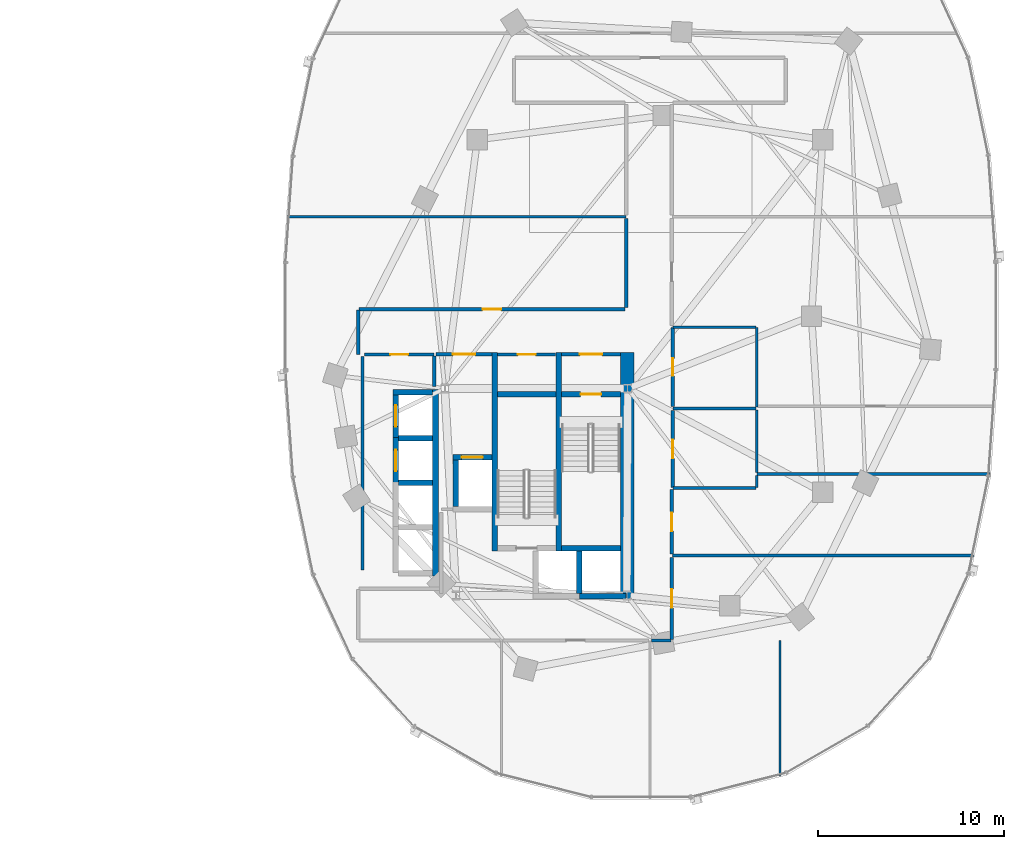
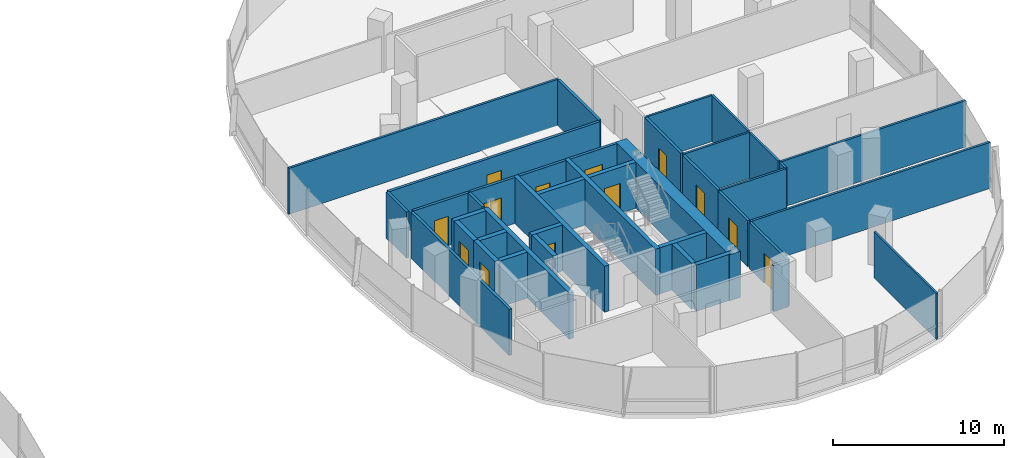
# One storey, part 13 of 21: 40 walls, 13 doors, 13 openings.
"""IFC4 building model written with IfcOpenShell, lengths in metres."""

from ifc_helpers import new_model, si_unit, direction, frame, frame_2d, origin, place, context, subcontext, project, spatial, rectangle, extrude, material, layer, layer_set, type_object, element, fill, save


model = new_model("IFC4")

# Units and contexts
model_context = context("Model", 3, precision=1e-05, world=origin(), true_north=direction((0.0, 1.0)))
body_context = subcontext(model_context, "Body", "Model", "MODEL_VIEW")
ifc_project = project(units=[si_unit("LENGTHUNIT", "METRE"), si_unit("AREAUNIT", "SQUARE_METRE"), si_unit("VOLUMEUNIT", "CUBIC_METRE"), si_unit("PLANEANGLEUNIT", "RADIAN"), si_unit("MASSUNIT", "GRAM", prefix="KILO"), si_unit("THERMODYNAMICTEMPERATUREUNIT", "KELVIN"), si_unit("POWERUNIT", "WATT")], contexts=[model_context])

# Site, building, storey
site_placement = place(None, origin())
site = spatial("IfcSite", under=ifc_project, at=site_placement, CompositionType="ELEMENT")
building_placement = place(site_placement, origin())
building = spatial("IfcBuilding", under=site, at=building_placement, Name="Cundina Bronze Exchange", CompositionType="ELEMENT")
storey_placement = place(building_placement, frame((0.0, 0.0, 114.199951171875)))
storey = spatial("IfcBuildingStorey", under=building, at=storey_placement, Name="L29", CompositionType="ELEMENT", Elevation=114.199951171875)

# Wall
ifc_material_1 = material(Name="Gypsum Fireboard Partition EI120")
ifc_layer_1 = layer(ifc_material_1, 0.179931640625, Name="Gypsum Fireboard Partition EI120")
ifc_layer_set_1 = layer_set([ifc_layer_1], Name="Gypsum Fireboard Partition EI120")
wall_type_1 = type_object("IfcWallType", Name="WL-COR-180", PredefinedType="PARTITIONING", material=ifc_layer_set_1)
wall_1_placement = place(storey_placement, frame((20.889892578125, -3.800048828125, 0.0), z_axis=(0.0, 0.0, 1.0), x_axis=(0.0, 1.0, 0.0)))
element("IfcWall", 1, at=wall_1_placement, inside=storey, type_object=wall_type_1, Name="L29 E Firefighting Lobby Side Wall", PredefinedType="PARTITIONING", context=body_context, shape_type="SweptSolid", body=[
    extrude(rectangle(XDim=1.650146484375, YDim=0.179931640625, at=frame_2d((0.8251953125, 0.0))), origin(), (0.0, 0.0, 1.0), 3.300048828125),
])

# Wall, opening, door
wall_2_placement = place(storey_placement, frame((20.97998046875, -2.06005859375, 0.0), z_axis=(0.0, 0.0, 1.0), x_axis=(1.0, 0.0, 0.0)))
wall_2 = element("IfcWall", 2, at=wall_2_placement, inside=storey, type_object=wall_type_1, Name="L29 E Firefighting Lobby Exit Wall", PredefinedType="PARTITIONING", context=body_context, shape_type="SweptSolid", body=[
    extrude(rectangle(XDim=3.0, YDim=0.179931640625, at=frame_2d((1.5, 0.0))), origin(), (0.0, 0.0, 1.0), 3.300048828125),
])
opening_1_placement = place(wall_2_placement, frame((0.89990234375, 0.0, 0.0)))
opening_1 = element("IfcOpeningElement", 3, at=opening_1_placement, cuts=wall_2, Name="Opening DF-01", PredefinedType="OPENING", context=body_context, shape_type="SweptSolid", body=[
    extrude(rectangle(XDim=1.199951171875, YDim=2.14990234375, at=frame_2d((0.60009765625, 1.074951171875))), frame((0.0, 0.099853515625, 0.0), z_axis=(0.0, -1.0, 0.0), x_axis=(1.0, 0.0, 0.0)), (0.0, 0.0, 1.0), 0.199951171875),
])
ifc_material_2 = material(Name="Steel ASTM A36 Painted", Category="steel")
door_type_1 = type_object("IfcDoorType", Name="DR-FFL-1200", OperationType="NOTDEFINED", PredefinedType="DOOR", material=ifc_material_2)
door_1_placement = place(opening_1_placement, origin())
door_1 = element("IfcDoor", 4, at=door_1_placement, inside=storey, type_object=door_type_1, Name="L29 E Firefighting Lobby Door", OperationType="SINGLE_SWING_LEFT", OverallHeight=2.14990234375, OverallWidth=1.199951171875, PredefinedType="DOOR", context=body_context, shape_type="SweptSolid", body=[
    extrude(rectangle(XDim=1.199951171875, YDim=2.14990234375, at=frame_2d((0.60009765625, 1.074951171875))), frame((0.0, 0.02490234375, 0.0), z_axis=(0.0, -1.0, 0.0), x_axis=(1.0, 0.0, 0.0)), (0.0, 0.0, 1.0), 0.050048828125),
])
fill(opening_1, door_1)

wall_3_placement = place(storey_placement, frame((27.739990234375, -2.06005859375, 0.0), z_axis=(0.0, 0.0, 1.0), x_axis=(1.0, 0.0, 0.0)))
wall_3 = element("IfcWall", 5, at=wall_3_placement, inside=storey, type_object=wall_type_1, Name="L29 E Stair Vestibule Exit Wall", PredefinedType="PARTITIONING", context=body_context, shape_type="SweptSolid", body=[
    extrude(rectangle(XDim=3.159912109375, YDim=0.179931640625, at=frame_2d((1.580078125, 0.0))), origin(), (0.0, 0.0, 1.0), 3.300048828125),
])
opening_2_placement = place(wall_3_placement, frame((0.97998046875, 0.0, 0.0)))
opening_2 = element("IfcOpeningElement", 6, at=opening_2_placement, cuts=wall_3, Name="Opening DF-01", PredefinedType="OPENING", context=body_context, shape_type="SweptSolid", body=[
    extrude(rectangle(XDim=1.199951171875, YDim=2.14990234375, at=frame_2d((0.60009765625, 1.074951171875))), frame((0.0, 0.099853515625, 0.0), z_axis=(0.0, -1.0, 0.0), x_axis=(1.0, 0.0, 0.0)), (0.0, 0.0, 1.0), 0.199951171875),
])
door_2_placement = place(opening_2_placement, origin())
door_2 = element("IfcDoor", 7, at=door_2_placement, inside=storey, type_object=door_type_1, Name="L29 E Stair Vestibule Door", OperationType="SINGLE_SWING_RIGHT", OverallHeight=2.14990234375, OverallWidth=1.199951171875, PredefinedType="DOOR", context=body_context, shape_type="SweptSolid", body=[
    extrude(rectangle(XDim=1.199951171875, YDim=2.14990234375, at=frame_2d((0.60009765625, 1.074951171875))), frame((0.0, 0.02490234375, 0.0), z_axis=(0.0, -1.0, 0.0), x_axis=(1.0, 0.0, 0.0)), (0.0, 0.0, 1.0), 0.050048828125),
])
fill(opening_2, door_2)

# Wall
wall_4_placement = place(storey_placement, frame((17.02001953125, -13.679931640625, 0.0), z_axis=(0.0, 0.0, 1.0), x_axis=(0.0, 1.0, 0.0)))
element("IfcWall", 8, at=wall_4_placement, inside=storey, type_object=wall_type_1, Name="L29 Interior Partition 040", PredefinedType="PARTITIONING", context=body_context, shape_type="SweptSolid", body=[
    extrude(rectangle(XDim=11.510009765625, YDim=0.179931640625, at=frame_2d((5.7548828125, 0.0))), origin(), (0.0, 0.0, 1.0), 3.300048828125),
])

# Wall, opening, door
wall_5_placement = place(storey_placement, frame((17.1201171875, -2.070068359375, 0.0), z_axis=(0.0, 0.0, 1.0), x_axis=(1.0, 0.0, 0.0)))
wall_5 = element("IfcWall", 9, at=wall_5_placement, inside=storey, type_object=wall_type_1, Name="L29 Interior Partition 041", PredefinedType="PARTITIONING", context=body_context, shape_type="SweptSolid", body=[
    extrude(rectangle(XDim=3.75, YDim=0.179931640625, at=frame_2d((1.875, 0.0))), origin(), (0.0, 0.0, 1.0), 3.300048828125),
])
opening_3_placement = place(wall_5_placement, frame((1.39990234375, 0.0, 0.0)))
opening_3 = element("IfcOpeningElement", 10, at=opening_3_placement, cuts=wall_5, Name="Opening DW-01", PredefinedType="OPENING", context=body_context, shape_type="SweptSolid", body=[
    extrude(rectangle(XDim=0.949951171875, YDim=2.10009765625, at=frame_2d((0.47509765625, 1.050048828125))), frame((0.0, 0.099853515625, 0.0), z_axis=(0.0, -1.0, 0.0), x_axis=(1.0, 0.0, 0.0)), (0.0, 0.0, 1.0), 0.199951171875),
])
ifc_material_3 = material(Name="Solid Andean Oak Timber Grade A", Category="wood")
door_type_2 = type_object("IfcDoorType", Name="DR-WC-950", OperationType="NOTDEFINED", PredefinedType="DOOR", material=ifc_material_3)
door_3_placement = place(opening_3_placement, origin())
door_3 = element("IfcDoor", 11, at=door_3_placement, inside=storey, type_object=door_type_2, Name="L29 Interior Door 041", OperationType="SINGLE_SWING_RIGHT", OverallHeight=2.10009765625, OverallWidth=0.949951171875, PredefinedType="DOOR", context=body_context, shape_type="SweptSolid", body=[
    extrude(rectangle(XDim=0.949951171875, YDim=2.10009765625, at=frame_2d((0.47509765625, 1.050048828125))), frame((0.0, 0.02490234375, 0.0), z_axis=(0.0, -1.0, 0.0), x_axis=(1.0, 0.0, 0.0)), (0.0, 0.0, 1.0), 0.050048828125),
])
fill(opening_3, door_3)

wall_6_placement = place(storey_placement, frame((24.300048828125, -2.070068359375, 0.0), z_axis=(0.0, 0.0, 1.0), x_axis=(1.0, 0.0, 0.0)))
wall_6 = element("IfcWall", 12, at=wall_6_placement, inside=storey, type_object=wall_type_1, Name="L29 Interior Partition 044", PredefinedType="PARTITIONING", context=body_context, shape_type="SweptSolid", body=[
    extrude(rectangle(XDim=3.119873046875, YDim=0.179931640625, at=frame_2d((1.56005859375, 0.0))), origin(), (0.0, 0.0, 1.0), 3.300048828125),
])
opening_4_placement = place(wall_6_placement, frame((1.0849609375, 0.0, 0.0)))
opening_4 = element("IfcOpeningElement", 13, at=opening_4_placement, cuts=wall_6, Name="Opening DW-01", PredefinedType="OPENING", context=body_context, shape_type="SweptSolid", body=[
    extrude(rectangle(XDim=0.949951171875, YDim=2.10009765625, at=frame_2d((0.47509765625, 1.050048828125))), frame((0.0, 0.099853515625, 0.0), z_axis=(0.0, -1.0, 0.0), x_axis=(1.0, 0.0, 0.0)), (0.0, 0.0, 1.0), 0.199951171875),
])
door_4_placement = place(opening_4_placement, origin())
door_4 = element("IfcDoor", 14, at=door_4_placement, inside=storey, type_object=door_type_2, Name="L29 Interior Door 044", OperationType="SINGLE_SWING_LEFT", OverallHeight=2.10009765625, OverallWidth=0.949951171875, PredefinedType="DOOR", context=body_context, shape_type="SweptSolid", body=[
    extrude(rectangle(XDim=0.949951171875, YDim=2.10009765625, at=frame_2d((0.47509765625, 1.050048828125))), frame((0.0, 0.02490234375, 0.0), z_axis=(0.0, -1.0, 0.0), x_axis=(1.0, 0.0, 0.0)), (0.0, 0.0, 1.0), 0.050048828125),
])
fill(opening_4, door_4)

wall_7_placement = place(storey_placement, frame((33.719970703125, -4.8798828125, 0.0), z_axis=(0.0, 0.0, 1.0), x_axis=(0.0, 1.0, 0.0)))
wall_7 = element("IfcWall", 15, at=wall_7_placement, inside=storey, type_object=wall_type_1, Name="L29 Interior Partition 051", PredefinedType="PARTITIONING", context=body_context, shape_type="SweptSolid", body=[
    extrude(rectangle(XDim=4.259765625, YDim=0.179931640625, at=frame_2d((2.1298828125, 0.0))), origin(), (0.0, 0.0, 1.0), 3.300048828125),
])
opening_5_placement = place(wall_7_placement, frame((1.655029296875, 0.0, 0.0)))
opening_5 = element("IfcOpeningElement", 16, at=opening_5_placement, cuts=wall_7, Name="Opening DW-01", PredefinedType="OPENING", context=body_context, shape_type="SweptSolid", body=[
    extrude(rectangle(XDim=0.949951171875, YDim=2.10009765625, at=frame_2d((0.47509765625, 1.050048828125))), frame((0.0, 0.099853515625, 0.0), z_axis=(0.0, -1.0, 0.0), x_axis=(1.0, 0.0, 0.0)), (0.0, 0.0, 1.0), 0.199951171875),
])
door_5_placement = place(opening_5_placement, origin())
door_5 = element("IfcDoor", 17, at=door_5_placement, inside=storey, type_object=door_type_2, Name="L29 Interior Door 051", OperationType="SINGLE_SWING_RIGHT", OverallHeight=2.10009765625, OverallWidth=0.949951171875, PredefinedType="DOOR", context=body_context, shape_type="SweptSolid", body=[
    extrude(rectangle(XDim=0.949951171875, YDim=2.10009765625, at=frame_2d((0.47509765625, 1.050048828125))), frame((0.0, 0.02490234375, 0.0), z_axis=(0.0, -1.0, 0.0), x_axis=(1.0, 0.0, 0.0)), (0.0, 0.0, 1.0), 0.050048828125),
])
fill(opening_5, door_5)

wall_8_placement = place(storey_placement, frame((33.719970703125, -9.239990234375, 0.0), z_axis=(0.0, 0.0, 1.0), x_axis=(0.0, 1.0, 0.0)))
wall_8 = element("IfcWall", 18, at=wall_8_placement, inside=storey, type_object=wall_type_1, Name="L29 Interior Partition 052", PredefinedType="PARTITIONING", context=body_context, shape_type="SweptSolid", body=[
    extrude(rectangle(XDim=4.159912109375, YDim=0.179931640625, at=frame_2d((2.080078125, 0.0))), origin(), (0.0, 0.0, 1.0), 3.300048828125),
])
opening_6_placement = place(wall_8_placement, frame((1.580078125, 0.0, 0.0)))
opening_6 = element("IfcOpeningElement", 19, at=opening_6_placement, cuts=wall_8, Name="Opening DO-01", PredefinedType="OPENING", context=body_context, shape_type="SweptSolid", body=[
    extrude(rectangle(XDim=1.0, YDim=2.14990234375, at=frame_2d((0.5, 1.074951171875))), frame((0.0, 0.099853515625, 0.0), z_axis=(0.0, -1.0, 0.0), x_axis=(1.0, 0.0, 0.0)), (0.0, 0.0, 1.0), 0.199951171875),
])
door_type_3 = type_object("IfcDoorType", Name="DR-OFF-1000", OperationType="NOTDEFINED", PredefinedType="DOOR", material=ifc_material_3)
door_6_placement = place(opening_6_placement, origin())
door_6 = element("IfcDoor", 20, at=door_6_placement, inside=storey, type_object=door_type_3, Name="L29 Interior Door 052", OperationType="SINGLE_SWING_RIGHT", OverallHeight=2.14990234375, OverallWidth=1.0, PredefinedType="DOOR", context=body_context, shape_type="SweptSolid", body=[
    extrude(rectangle(XDim=1.0, YDim=2.14990234375, at=frame_2d((0.5, 1.074951171875))), frame((0.0, 0.02490234375, 0.0), z_axis=(0.0, -1.0, 0.0), x_axis=(1.0, 0.0, 0.0)), (0.0, 0.0, 1.0), 0.050048828125),
])
fill(opening_6, door_6)

wall_9_placement = place(storey_placement, frame((33.669921875, -17.428466796875, 0.0), z_axis=(0.0, 0.0, 1.0), x_axis=(0.0, 1.0, 0.0)))
wall_9 = element("IfcWall", 21, at=wall_9_placement, inside=storey, type_object=wall_type_1, Name="L29 Interior Partition 061", PredefinedType="PARTITIONING", context=body_context, shape_type="SweptSolid", body=[
    extrude(rectangle(XDim=4.4384765625, YDim=0.179931640625, at=frame_2d((2.21923828125, 0.0))), origin(), (0.0, 0.0, 1.0), 3.300048828125),
])
opening_7_placement = place(wall_9_placement, frame((1.71923828125, 0.0, 0.0)))
opening_7 = element("IfcOpeningElement", 22, at=opening_7_placement, cuts=wall_9, Name="Opening DO-01", PredefinedType="OPENING", context=body_context, shape_type="SweptSolid", body=[
    extrude(rectangle(XDim=1.0, YDim=2.14990234375, at=frame_2d((0.5, 1.074951171875))), frame((0.0, 0.099853515625, 0.0), z_axis=(0.0, -1.0, 0.0), x_axis=(1.0, 0.0, 0.0)), (0.0, 0.0, 1.0), 0.199951171875),
])
door_7_placement = place(opening_7_placement, origin())
door_7 = element("IfcDoor", 23, at=door_7_placement, inside=storey, type_object=door_type_3, Name="L29 Interior Door 061", OperationType="SINGLE_SWING_RIGHT", OverallHeight=2.14990234375, OverallWidth=1.0, PredefinedType="DOOR", context=body_context, shape_type="SweptSolid", body=[
    extrude(rectangle(XDim=1.0, YDim=2.14990234375, at=frame_2d((0.5, 1.074951171875))), frame((0.0, 0.02490234375, 0.0), z_axis=(0.0, -1.0, 0.0), x_axis=(1.0, 0.0, 0.0)), (0.0, 0.0, 1.0), 0.050048828125),
])
fill(opening_7, door_7)

# Wall
wall_10_placement = place(storey_placement, frame((32.590087890625, -17.469970703125, 0.0), z_axis=(0.0, 0.0, 1.0), x_axis=(1.0, 0.0, 0.0)))
element("IfcWall", 24, at=wall_10_placement, inside=storey, type_object=wall_type_1, Name="L29 Interior Partition 062", PredefinedType="PARTITIONING", context=body_context, shape_type="SweptSolid", body=[
    extrude(rectangle(XDim=1.038330078125, YDim=0.179931640625, at=frame_2d((0.51904296875, 0.0))), origin(), (0.0, 0.0, 1.0), 3.300048828125),
])

# Wall, opening, door
wall_11_placement = place(storey_placement, frame((33.669921875, -12.81005859375, 0.0), z_axis=(0.0, 0.0, 1.0), x_axis=(0.0, 1.0, 0.0)))
wall_11 = element("IfcWall", 25, at=wall_11_placement, inside=storey, type_object=wall_type_1, Name="L29 Interior Partition 063", PredefinedType="PARTITIONING", context=body_context, shape_type="SweptSolid", body=[
    extrude(rectangle(XDim=3.458740234375, YDim=0.179931640625, at=frame_2d((1.7294921875, 0.0))), origin(), (0.0, 0.0, 1.0), 3.300048828125),
])
opening_8_placement = place(wall_11_placement, frame((1.229248046875, 0.0, 0.0)))
opening_8 = element("IfcOpeningElement", 26, at=opening_8_placement, cuts=wall_11, Name="Opening DO-01", PredefinedType="OPENING", context=body_context, shape_type="SweptSolid", body=[
    extrude(rectangle(XDim=1.0, YDim=2.14990234375, at=frame_2d((0.5, 1.074951171875))), frame((0.0, 0.099853515625, 0.0), z_axis=(0.0, -1.0, 0.0), x_axis=(1.0, 0.0, 0.0)), (0.0, 0.0, 1.0), 0.199951171875),
])
door_8_placement = place(opening_8_placement, origin())
door_8 = element("IfcDoor", 27, at=door_8_placement, inside=storey, type_object=door_type_3, Name="L29 Interior Door 063", OperationType="SINGLE_SWING_LEFT", OverallHeight=2.14990234375, OverallWidth=1.0, PredefinedType="DOOR", context=body_context, shape_type="SweptSolid", body=[
    extrude(rectangle(XDim=1.0, YDim=2.14990234375, at=frame_2d((0.5, 1.074951171875))), frame((0.0, 0.02490234375, 0.0), z_axis=(0.0, -1.0, 0.0), x_axis=(1.0, 0.0, 0.0)), (0.0, 0.0, 1.0), 0.050048828125),
])
fill(opening_8, door_8)

wall_12_placement = place(storey_placement, frame((31.14990234375, 0.3701171875, 0.0), z_axis=(0.0, 0.0, 1.0), x_axis=(-1.0, 0.0, 0.0)))
wall_12 = element("IfcWall", 28, at=wall_12_placement, inside=storey, type_object=wall_type_1, Name="L29 Interior Partition 064", PredefinedType="PARTITIONING", context=body_context, shape_type="SweptSolid", body=[
    extrude(rectangle(XDim=14.328369140625, YDim=0.179931640625, at=frame_2d((7.1640625, 0.0))), origin(), (0.0, 0.0, 1.0), 3.300048828125),
])
opening_9_placement = place(wall_12_placement, frame((6.664306640625, 0.0, 0.0)))
opening_9 = element("IfcOpeningElement", 29, at=opening_9_placement, cuts=wall_12, Name="Opening DO-01", PredefinedType="OPENING", context=body_context, shape_type="SweptSolid", body=[
    extrude(rectangle(XDim=1.0, YDim=2.14990234375, at=frame_2d((0.5, 1.074951171875))), frame((0.0, 0.099853515625, 0.0), z_axis=(0.0, -1.0, 0.0), x_axis=(1.0, 0.0, 0.0)), (0.0, 0.0, 1.0), 0.199951171875),
])
door_9_placement = place(opening_9_placement, origin())
door_9 = element("IfcDoor", 30, at=door_9_placement, inside=storey, type_object=door_type_3, Name="L29 Interior Door 064", OperationType="SINGLE_SWING_LEFT", OverallHeight=2.14990234375, OverallWidth=1.0, PredefinedType="DOOR", context=body_context, shape_type="SweptSolid", body=[
    extrude(rectangle(XDim=1.0, YDim=2.14990234375, at=frame_2d((0.5, 1.074951171875))), frame((0.0, 0.02490234375, 0.0), z_axis=(0.0, -1.0, 0.0), x_axis=(1.0, 0.0, 0.0)), (0.0, 0.0, 1.0), 0.050048828125),
])
fill(opening_9, door_9)

# Walls
wall_13_placement = place(storey_placement, frame((31.22998046875, 5.260009765625, 0.0), z_axis=(0.0, 0.0, 1.0), x_axis=(0.0, -1.0, 0.0)))
element("IfcWall", 31, at=wall_13_placement, inside=storey, type_object=wall_type_1, Name="L29 Interior Partition 066", PredefinedType="PARTITIONING", context=body_context, shape_type="SweptSolid", body=[
    extrude(rectangle(XDim=4.81005859375, YDim=0.179931640625, at=frame_2d((2.405029296875, 0.0))), origin(), (0.0, 0.0, 1.0), 3.300048828125),
])
wall_14_placement = place(storey_placement, frame((16.780029296875, 0.32861328125, 0.0), z_axis=(0.0, 0.0, 1.0), x_axis=(0.0, -1.0, 0.0)))
element("IfcWall", 32, at=wall_14_placement, inside=storey, type_object=wall_type_1, Name="L29 Interior Partition 069", PredefinedType="PARTITIONING", context=body_context, shape_type="SweptSolid", body=[
    extrude(rectangle(XDim=2.38720703125, YDim=0.179931640625, at=frame_2d((1.193603515625, 0.0))), origin(), (0.0, 0.0, 1.0), 3.300048828125),
])
ifc_material_4 = material(Name="Concrete C60/75", Category="concrete")
ifc_layer_2 = layer(ifc_material_4, 0.75, Name="Concrete C60/75", Category="concrete")
ifc_layer_set_2 = layer_set([ifc_layer_2], Name="Concrete C60/75")
wall_type_2 = type_object("IfcWallType", Name="WL-CORE-750", PredefinedType="SHEAR", material=ifc_layer_set_2)
wall_15_placement = place(storey_placement, frame((31.27490234375, -15.300048828125, 0.0), z_axis=(0.0, 0.0, 1.0), x_axis=(0.0, 1.0, 0.0)))
element("IfcWall", 33, at=wall_15_placement, inside=storey, type_object=wall_type_2, Name="L29 E Primary Core Shear Spine Wall", PredefinedType="SHEAR", context=body_context, shape_type="SweptSolid", body=[
    extrude(rectangle(XDim=13.330078125, YDim=0.75, at=frame_2d((6.6650390625, 0.0))), origin(), (0.0, 0.0, 1.0), 3.300048828125),
])
ifc_material_5 = material(Name="Gypsum Acoustic Partition EI60")
ifc_layer_3 = layer(ifc_material_5, 0.125, Name="Gypsum Acoustic Partition EI60")
ifc_layer_set_3 = layer_set([ifc_layer_3], Name="Gypsum Acoustic Partition EI60")
wall_type_3 = type_object("IfcWallType", Name="WL-OFF-125", PredefinedType="PARTITIONING", material=ifc_layer_set_3)
wall_16_placement = place(storey_placement, frame((39.5, -24.772216796875, 0.0), z_axis=(0.0, 0.0, 1.0), x_axis=(0.0, 1.0, 0.0)))
element("IfcWall", 34, at=wall_16_placement, inside=storey, type_object=wall_type_3, Name="L29 Interior Partition 059", PredefinedType="PARTITIONING", context=body_context, shape_type="SweptSolid", body=[
    extrude(rectangle(XDim=7.30224609375, YDim=0.125, at=frame_2d((3.651123046875, 0.0))), origin(), (0.0, 0.0, 1.0), 3.300048828125),
])
ifc_material_6 = material(Name="Concrete C50/60", Category="concrete")
ifc_layer_4 = layer(ifc_material_6, 0.300048828125, Name="Concrete C50/60", Category="concrete")
ifc_layer_set_4 = layer_set([ifc_layer_4], Name="Concrete C50/60")
wall_type_4 = type_object("IfcWallType", Name="WL-SHFT-300", PredefinedType="SHEAR", material=ifc_layer_set_4)
for number, where, z_axis, x_axis, name in (
    (35, (27.590087890625, -12.64990234375, 0.0), (0.0, 0.0, 1.0), (0.0, 1.0, 0.0), "L29 E Stair Shaft Dividing Shear Wall"),
    (36, (24.1298828125, -12.64990234375, 0.0), (0.0, 0.0, 1.0), (0.0, 1.0, 0.0), "L29 E Stair 2 East Shear Wall"),
):
    element("IfcWall", number, at=place(storey_placement, frame(where, z_axis=z_axis, x_axis=x_axis)), inside=storey, type_object=wall_type_4, Name=name, PredefinedType="SHEAR", context=body_context, shape_type="SweptSolid", body=[
        extrude(rectangle(XDim=10.679931640625, YDim=0.300048828125, at=frame_2d((5.33984375, 0.0))), origin(), (0.0, 0.0, 1.0), 3.300048828125),
    ])

# Wall, opening, door
wall_17_placement = place(storey_placement, frame((27.739990234375, -4.199951171875, 0.0), z_axis=(0.0, 0.0, 1.0), x_axis=(1.0, 0.0, 0.0)))
wall_17 = element("IfcWall", 37, at=wall_17_placement, inside=storey, type_object=wall_type_4, Name="L29 Stair E1 Landing Wall", PredefinedType="SHEAR", context=body_context, shape_type="SweptSolid", body=[
    extrude(rectangle(XDim=3.159912109375, YDim=0.300048828125, at=frame_2d((1.580078125, 0.0))), origin(), (0.0, 0.0, 1.0), 3.300048828125),
])
opening_10_placement = place(wall_17_placement, frame((1.030029296875, 0.0, 0.0)))
opening_10 = element("IfcOpeningElement", 38, at=opening_10_placement, cuts=wall_17, Name="Opening DS-01", PredefinedType="OPENING", context=body_context, shape_type="SweptSolid", body=[
    extrude(rectangle(XDim=1.10009765625, YDim=2.14990234375, at=frame_2d((0.550048828125, 1.074951171875))), frame((0.0, 0.159912109375, 0.0), z_axis=(0.0, -1.0, 0.0), x_axis=(1.0, 0.0, 0.0)), (0.0, 0.0, 1.0), 0.320068359375),
])
door_type_4 = type_object("IfcDoorType", Name="DR-STR-1100", OperationType="NOTDEFINED", PredefinedType="DOOR", material=ifc_material_2)
door_10_placement = place(opening_10_placement, origin())
door_10 = element("IfcDoor", 39, at=door_10_placement, inside=storey, type_object=door_type_4, Name="L29 Smokeproof Stair E1 Door", OperationType="SINGLE_SWING_LEFT", OverallHeight=2.14990234375, OverallWidth=1.10009765625, PredefinedType="DOOR", context=body_context, shape_type="SweptSolid", body=[
    extrude(rectangle(XDim=1.10009765625, YDim=2.14990234375, at=frame_2d((0.550048828125, 1.074951171875))), frame((0.0, 0.02490234375, 0.0), z_axis=(0.0, -1.0, 0.0), x_axis=(1.0, 0.0, 0.0)), (0.0, 0.0, 1.0), 0.050048828125),
])
fill(opening_10, door_10)

# Walls
for number, where, z_axis, x_axis, name in (
    (40, (27.739990234375, -12.5, 0.0), (0.0, 0.0, 1.0), (1.0, 0.0, 0.0), "L29 Stair E1 Far Shaft Wall"),
    (41, (24.280029296875, -4.199951171875, 0.0), (0.0, 0.0, 1.0), (1.0, 0.0, 0.0), "L29 Stair E2 Far Shaft Wall"),
):
    element("IfcWall", number, at=place(storey_placement, frame(where, z_axis=z_axis, x_axis=x_axis)), inside=storey, type_object=wall_type_4, Name=name, PredefinedType="SHEAR", context=body_context, shape_type="SweptSolid", body=[
        extrude(rectangle(XDim=3.159912109375, YDim=0.300048828125, at=frame_2d((1.580078125, 0.0))), origin(), (0.0, 0.0, 1.0), 3.300048828125),
    ])

# Wall, opening, door
wall_18_placement = place(storey_placement, frame((21.8798828125, -7.60009765625, 0.0), z_axis=(0.0, 0.0, 1.0), x_axis=(1.0, 0.0, 0.0)))
wall_18 = element("IfcWall", 42, at=wall_18_placement, inside=storey, type_object=wall_type_4, Name="L29 FFL-E Hoistway Front Wall", PredefinedType="SHEAR", context=body_context, shape_type="SweptSolid", body=[
    extrude(rectangle(XDim=2.10009765625, YDim=0.300048828125, at=frame_2d((1.050048828125, 0.0))), origin(), (0.0, 0.0, 1.0), 3.300048828125),
])
opening_11_placement = place(wall_18_placement, frame((0.47509765625, 0.0, 0.0)))
opening_11 = element("IfcOpeningElement", 43, at=opening_11_placement, cuts=wall_18, Name="Opening LD-01", PredefinedType="OPENING", context=body_context, shape_type="SweptSolid", body=[
    extrude(rectangle(XDim=1.14990234375, YDim=2.199951171875, at=frame_2d((0.574951171875, 1.10009765625))), frame((0.0, 0.159912109375, 0.0), z_axis=(0.0, -1.0, 0.0), x_axis=(1.0, 0.0, 0.0)), (0.0, 0.0, 1.0), 0.320068359375),
])
door_type_5 = type_object("IfcDoorType", Name="DR-LND-1150", OperationType="NOTDEFINED", PredefinedType="TRAPDOOR", material=ifc_material_2)
door_11_placement = place(opening_11_placement, origin())
door_11 = element("IfcDoor", 44, at=door_11_placement, inside=storey, type_object=door_type_5, Name="L29 FFL-E Sliding Landing Door", OperationType="SLIDING_TO_LEFT", OverallHeight=2.199951171875, OverallWidth=1.14990234375, PredefinedType="TRAPDOOR", context=body_context, shape_type="SweptSolid", body=[
    extrude(rectangle(XDim=1.14990234375, YDim=2.199951171875, at=frame_2d((0.574951171875, 1.10009765625))), frame((0.0, 0.02490234375, 0.0), z_axis=(0.0, -1.0, 0.0), x_axis=(1.0, 0.0, 0.0)), (0.0, 0.0, 1.0), 0.050048828125),
])
fill(opening_11, door_11)

# Walls
for number, where, z_axis, x_axis, name in (
    (45, (22.030029296875, -10.25, 0.0), (0.0, 0.0, 1.0), (0.0, 1.0, 0.0), "L29 FFL-E Hoistway Side Wall"),
    (46, (28.699951171875, -15.10009765625, 0.0), (0.0, 0.0, 1.0), (1.0, 0.0, 0.0), "L29 PH-E1 Hoistway Front Wall"),
):
    element("IfcWall", number, at=place(storey_placement, frame(where, z_axis=z_axis, x_axis=x_axis)), inside=storey, type_object=wall_type_4, Name=name, PredefinedType="SHEAR", context=body_context, shape_type="SweptSolid", body=[
        extrude(rectangle(XDim=2.5, YDim=0.300048828125, at=frame_2d((1.25, 0.0))), origin(), (0.0, 0.0, 1.0), 3.300048828125),
    ])
wall_19_placement = place(storey_placement, frame((28.699951171875, -14.949951171875, 0.0), z_axis=(0.0, 0.0, 1.0), x_axis=(0.0, 1.0, 0.0)))
element("IfcWall", 47, at=wall_19_placement, inside=storey, type_object=wall_type_4, Name="L29 PH-E1 Hoistway Divider Wall", PredefinedType="SHEAR", context=body_context, shape_type="SweptSolid", body=[
    extrude(rectangle(XDim=2.300048828125, YDim=0.300048828125, at=frame_2d((1.14990234375, 0.0))), origin(), (0.0, 0.0, 1.0), 3.300048828125),
])
wall_20_placement = place(storey_placement, frame((20.949951171875, -14.0, 0.0), z_axis=(0.0, 0.0, 1.0), x_axis=(0.0, 1.0, 0.0)))
element("IfcWall", 48, at=wall_20_placement, inside=storey, type_object=wall_type_4, Name="L29 E Passenger Bank Hoistway Back Wall", PredefinedType="SHEAR", context=body_context, shape_type="SweptSolid", body=[
    extrude(rectangle(XDim=10.050048828125, YDim=0.300048828125, at=frame_2d((5.02490234375, 0.0))), origin(), (0.0, 0.0, 1.0), 3.300048828125),
])
wall_21_placement = place(storey_placement, frame((18.64990234375, -4.10009765625, 0.0), z_axis=(0.0, 0.0, 1.0), x_axis=(1.0, 0.0, 0.0)))
element("IfcWall", 49, at=wall_21_placement, inside=storey, type_object=wall_type_4, Name="L29 E Passenger Bank North Cap Wall", PredefinedType="SHEAR", context=body_context, shape_type="SweptSolid", body=[
    extrude(rectangle(XDim=2.150146484375, YDim=0.300048828125, at=frame_2d((1.0751953125, 0.0))), origin(), (0.0, 0.0, 1.0), 3.300048828125),
])
for number, where, z_axis, x_axis, name in (
    (50, (18.949951171875, -8.97509765625, 0.0), (0.0, 0.0, 1.0), (1.0, 0.0, 0.0), "L29 E Passenger Hoistway Divider 2"),
    (51, (18.949951171875, -6.574951171875, 0.0), (0.0, 0.0, 1.0), (1.0, 0.0, 0.0), "L29 E Passenger Hoistway Divider 3"),
):
    element("IfcWall", number, at=place(storey_placement, frame(where, z_axis=z_axis, x_axis=x_axis)), inside=storey, type_object=wall_type_4, Name=name, PredefinedType="SHEAR", context=body_context, shape_type="SweptSolid", body=[
        extrude(rectangle(XDim=1.85009765625, YDim=0.300048828125, at=frame_2d((0.925048828125, 0.0))), origin(), (0.0, 0.0, 1.0), 3.300048828125),
    ])

# Wall, opening, door
wall_22_placement = place(storey_placement, frame((18.800048828125, -9.02001953125, 0.0), z_axis=(0.0, 0.0, 1.0), x_axis=(0.0, 1.0, 0.0)))
wall_22 = element("IfcWall", 52, at=wall_22_placement, inside=storey, type_object=wall_type_4, Name="L29 PL-E1 Hoistway Front Wall", PredefinedType="SHEAR", context=body_context, shape_type="SweptSolid", body=[
    extrude(rectangle(XDim=2.489990234375, YDim=0.300048828125, at=frame_2d((1.2451171875, 0.0))), origin(), (0.0, 0.0, 1.0), 3.300048828125),
])
opening_12_placement = place(wall_22_placement, frame((0.669921875, 0.0, 0.0)))
opening_12 = element("IfcOpeningElement", 53, at=opening_12_placement, cuts=wall_22, Name="Opening LD-01", PredefinedType="OPENING", context=body_context, shape_type="SweptSolid", body=[
    extrude(rectangle(XDim=1.14990234375, YDim=2.199951171875, at=frame_2d((0.574951171875, 1.10009765625))), frame((0.0, 0.159912109375, 0.0), z_axis=(0.0, -1.0, 0.0), x_axis=(1.0, 0.0, 0.0)), (0.0, 0.0, 1.0), 0.320068359375),
])
door_12_placement = place(opening_12_placement, origin())
door_12 = element("IfcDoor", 54, at=door_12_placement, inside=storey, type_object=door_type_5, Name="L29 PL-E1 Sliding Landing Door", OperationType="SLIDING_TO_LEFT", OverallHeight=2.199951171875, OverallWidth=1.14990234375, PredefinedType="TRAPDOOR", context=body_context, shape_type="SweptSolid", body=[
    extrude(rectangle(XDim=1.14990234375, YDim=2.199951171875, at=frame_2d((0.574951171875, 1.10009765625))), frame((0.0, 0.02490234375, 0.0), z_axis=(0.0, -1.0, 0.0), x_axis=(1.0, 0.0, 0.0)), (0.0, 0.0, 1.0), 0.050048828125),
])
fill(opening_12, door_12)

wall_23_placement = place(storey_placement, frame((18.800048828125, -6.6201171875, 0.0), z_axis=(0.0, 0.0, 1.0), x_axis=(0.0, 1.0, 0.0)))
wall_23 = element("IfcWall", 55, at=wall_23_placement, inside=storey, type_object=wall_type_4, Name="L29 PL-E2 Hoistway Front Wall", PredefinedType="SHEAR", context=body_context, shape_type="SweptSolid", body=[
    extrude(rectangle(XDim=2.490234375, YDim=0.300048828125, at=frame_2d((1.2451171875, 0.0))), origin(), (0.0, 0.0, 1.0), 3.300048828125),
])
opening_13_placement = place(wall_23_placement, frame((0.669921875, 0.0, 0.0)))
opening_13 = element("IfcOpeningElement", 56, at=opening_13_placement, cuts=wall_23, Name="Opening LD-01", PredefinedType="OPENING", context=body_context, shape_type="SweptSolid", body=[
    extrude(rectangle(XDim=1.14990234375, YDim=2.199951171875, at=frame_2d((0.574951171875, 1.10009765625))), frame((0.0, 0.159912109375, 0.0), z_axis=(0.0, -1.0, 0.0), x_axis=(1.0, 0.0, 0.0)), (0.0, 0.0, 1.0), 0.320068359375),
])
door_13_placement = place(opening_13_placement, origin())
door_13 = element("IfcDoor", 57, at=door_13_placement, inside=storey, type_object=door_type_5, Name="L29 PL-E2 Sliding Landing Door", OperationType="SLIDING_TO_LEFT", OverallHeight=2.199951171875, OverallWidth=1.14990234375, PredefinedType="TRAPDOOR", context=body_context, shape_type="SweptSolid", body=[
    extrude(rectangle(XDim=1.14990234375, YDim=2.199951171875, at=frame_2d((0.574951171875, 1.10009765625))), frame((0.0, 0.02490234375, 0.0), z_axis=(0.0, -1.0, 0.0), x_axis=(1.0, 0.0, 0.0)), (0.0, 0.0, 1.0), 0.050048828125),
])
fill(opening_13, door_13)

# Walls
ifc_layer_5 = layer(ifc_material_5, 0.14990234375, Name="Gypsum Acoustic Partition EI60")
ifc_layer_set_5 = layer_set([ifc_layer_5], Name="Gypsum Acoustic Partition EI60")
wall_type_5 = type_object("IfcWallType", Name="WL-TEN-150", PredefinedType="PARTITIONING", material=ifc_layer_set_5)
wall_24_placement = place(storey_placement, frame((12.96240234375, 5.35009765625, 0.0), z_axis=(0.0, 0.0, 1.0), x_axis=(1.0, 0.0, 0.0)))
element("IfcWall", 58, at=wall_24_placement, inside=storey, type_object=wall_type_5, Name="L29 Interior Partition 053", PredefinedType="PARTITIONING", context=body_context, shape_type="SweptSolid", body=[
    extrude(rectangle(XDim=18.237548828125, YDim=0.14990234375, at=frame_2d((9.11865234375, 0.0))), origin(), (0.0, 0.0, 1.0), 3.300048828125),
])
wall_25_placement = place(storey_placement, frame((38.27001953125, -8.5, 0.0), z_axis=(0.0, 0.0, 1.0), x_axis=(1.0, 0.0, 0.0)))
element("IfcWall", 59, at=wall_25_placement, inside=storey, type_object=wall_type_5, Name="L29 Interior Partition 055", PredefinedType="PARTITIONING", context=body_context, shape_type="SweptSolid", body=[
    extrude(rectangle(XDim=12.545654296875, YDim=0.14990234375, at=frame_2d((6.27294921875, 0.0))), origin(), (0.0, 0.0, 1.0), 3.300048828125),
])
wall_26_placement = place(storey_placement, frame((33.699951171875, -12.89990234375, 0.0), z_axis=(0.0, 0.0, 1.0), x_axis=(1.0, 0.0, 0.0)))
element("IfcWall", 60, at=wall_26_placement, inside=storey, type_object=wall_type_5, Name="L29 Interior Partition 056", PredefinedType="PARTITIONING", context=body_context, shape_type="SweptSolid", body=[
    extrude(rectangle(XDim=16.23095703125, YDim=0.14990234375, at=frame_2d((8.115478515625, 0.0))), origin(), (0.0, 0.0, 1.0), 3.300048828125),
])
ifc_material_7 = material(Name="Moisture-Resistant Masonry Block Grade M15", Category="masonry")
ifc_layer_6 = layer(ifc_material_7, 0.139892578125, Name="Moisture-Resistant Masonry Block Grade M15", Category="masonry")
ifc_layer_set_6 = layer_set([ifc_layer_6], Name="Moisture-Resistant Masonry Block Grade M15")
wall_type_6 = type_object("IfcWallType", Name="WL-WET-140", PredefinedType="PARTITIONING", material=ifc_layer_set_6)
wall_27_placement = place(storey_placement, frame((38.239990234375, -9.239990234375, 0.0), z_axis=(0.0, 0.0, 1.0), x_axis=(0.0, 1.0, 0.0)))
element("IfcWall", 61, at=wall_27_placement, inside=storey, type_object=wall_type_6, Name="L29 Interior Partition 045", PredefinedType="PARTITIONING", context=body_context, shape_type="SweptSolid", body=[
    extrude(rectangle(XDim=0.655029296875, YDim=0.139892578125, at=frame_2d((0.32763671875, 0.0))), origin(), (0.0, 0.0, 1.0), 3.300048828125),
])
wall_28_placement = place(storey_placement, frame((38.239990234375, -8.4150390625, 0.0), z_axis=(0.0, 0.0, 1.0), x_axis=(0.0, 1.0, 0.0)))
element("IfcWall", 62, at=wall_28_placement, inside=storey, type_object=wall_type_6, Name="L29 Interior Partition 046", PredefinedType="PARTITIONING", context=body_context, shape_type="SweptSolid", body=[
    extrude(rectangle(XDim=3.35009765625, YDim=0.139892578125, at=frame_2d((1.675048828125, 0.0))), origin(), (0.0, 0.0, 1.0), 3.300048828125),
])
wall_29_placement = place(storey_placement, frame((38.239990234375, -4.89501953125, 0.0), z_axis=(0.0, 0.0, 1.0), x_axis=(0.0, 1.0, 0.0)))
element("IfcWall", 63, at=wall_29_placement, inside=storey, type_object=wall_type_6, Name="L29 Interior Partition 047", PredefinedType="PARTITIONING", context=body_context, shape_type="SweptSolid", body=[
    extrude(rectangle(XDim=4.27490234375, YDim=0.139892578125, at=frame_2d((2.137451171875, 0.0))), origin(), (0.0, 0.0, 1.0), 3.300048828125),
])
for number, where, z_axis, x_axis, name in (
    (64, (33.739990234375, -0.60009765625, 0.0), (0.0, 0.0, 1.0), (1.0, 0.0, 0.0), "L29 Interior Partition 048"),
    (65, (33.739990234375, -4.97998046875, 0.0), (0.0, 0.0, 1.0), (1.0, 0.0, 0.0), "L29 Interior Partition 049"),
    (66, (33.739990234375, -9.260009765625, 0.0), (0.0, 0.0, 1.0), (1.0, 0.0, 0.0), "L29 Interior Partition 050"),
):
    element("IfcWall", number, at=place(storey_placement, frame(where, z_axis=z_axis, x_axis=x_axis)), inside=storey, type_object=wall_type_6, Name=name, PredefinedType="PARTITIONING", context=body_context, shape_type="SweptSolid", body=[
        extrude(rectangle(XDim=4.47998046875, YDim=0.139892578125, at=frame_2d((2.239990234375, 0.0))), origin(), (0.0, 0.0, 1.0), 3.300048828125),
    ])

save(model, "model.ifc")
